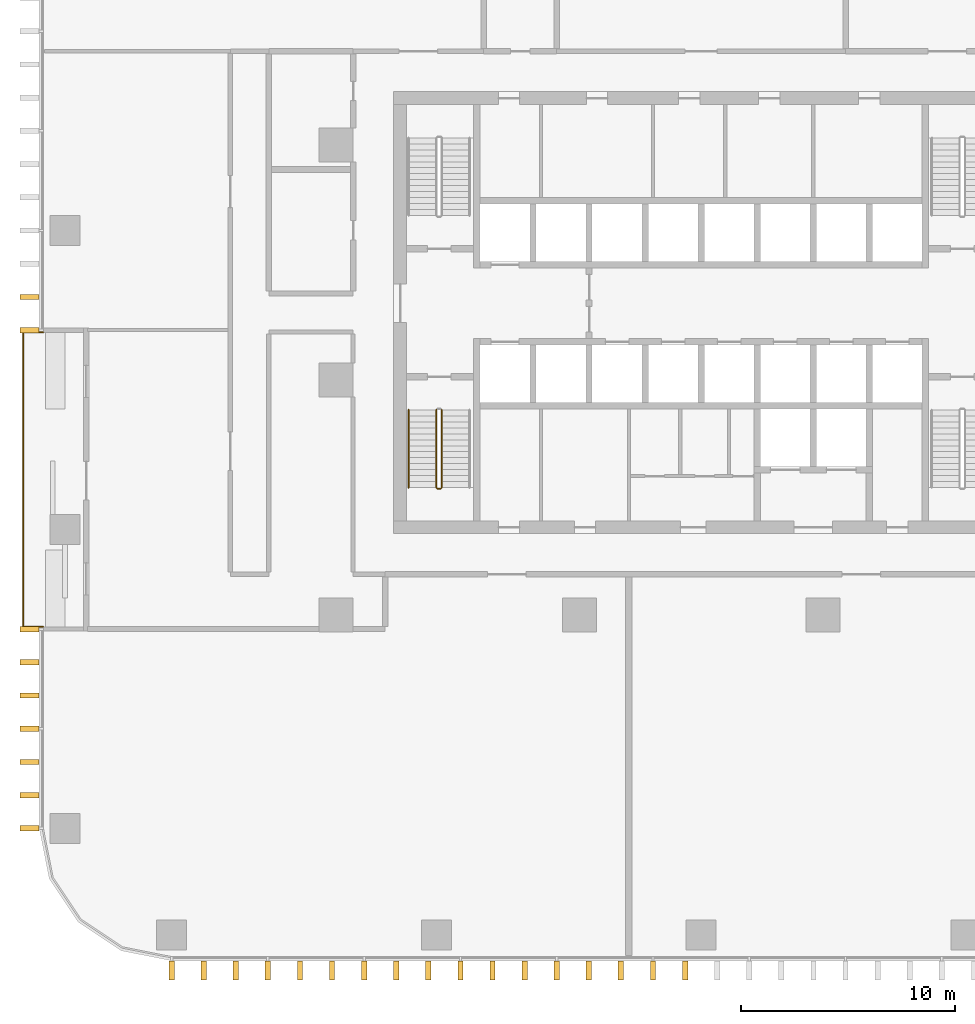
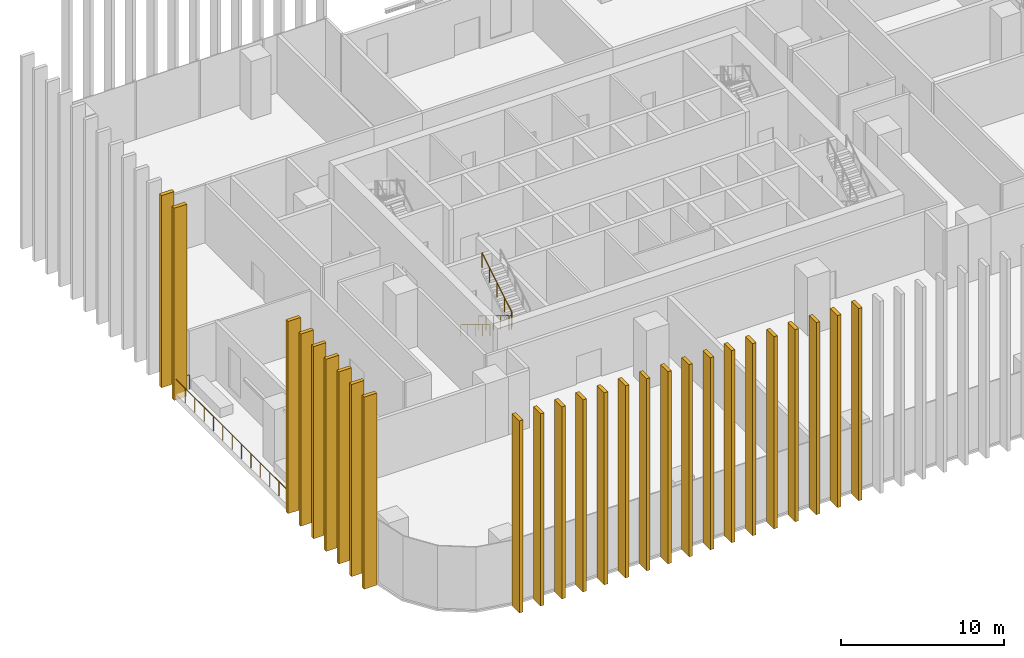
# One storey, part 12 of 17: 26 shading devices, 4 railings.
"""IFC4 building model written with IfcOpenShell, lengths in metres."""

import ifcopenshell
import ifcopenshell.guid

model = None  # the IFC model being written
_history = None  # IfcOwnerHistory: only IFC2X3 demands one
_inside = {}  # id of a spatial element -> (the spatial element, [elements in it])
_under = {}  # id of a project, library or spatial element -> (it, [spatial elements below it])
_declared = {}  # id of a project -> (the project, [libraries it declares])
_typed = {}  # id of a type object -> (the type object, [elements of that type])
_made_of = {}  # id of a material, layer set ... -> (it, [elements and type objects made of it])


def new_model(schema):
    """Start an empty IFC model of exactly this schema.

    Asked for "IFC4X3", IfcOpenShell would pick the latest addendum, in which some entities
    have other attributes; the version numbers below select the first issue.
    IFC2X3 requires an IfcOwnerHistory on every rooted entity: one is made here for all.
    """
    global model, _history
    if schema == "IFC4X3":
        model = ifcopenshell.file(schema_version=(4, 3, 0, 0))
    else:
        model = ifcopenshell.file(schema=schema)
    _inside.clear()
    _under.clear()
    _declared.clear()
    _typed.clear()
    _made_of.clear()
    _history = None
    if model.schema == "IFC2X3":
        org = make("IfcOrganization", Name="unknown")
        user = make(
            "IfcPersonAndOrganization",
            ThePerson=make("IfcPerson", FamilyName="unknown"),
            TheOrganization=org,
        )
        app = make(
            "IfcApplication",
            ApplicationDeveloper=org,
            Version="unknown",
            ApplicationFullName="unknown",
            ApplicationIdentifier="unknown",
        )
        _history = make(
            "IfcOwnerHistory",
            OwningUser=user,
            OwningApplication=app,
            ChangeAction="ADDED",
            CreationDate=0,
        )
    return model


def make(cls, **values):
    """One entity of the class cls with the attributes given. An attribute that is None is left unset."""
    return model.create_entity(
        cls, **{name: value for name, value in values.items() if value is not None}
    )


def rooted(cls, **values):
    """An entity with a GlobalId (a new one), such as an element, a storey or a relation."""
    return make(cls, GlobalId=ifcopenshell.guid.new(), OwnerHistory=_history, **values)


def si_unit(unit_type, name, prefix=None):
    """IfcSIUnit, for example si_unit("LENGTHUNIT", "METRE", prefix="MILLI")."""
    return make("IfcSIUnit", UnitType=unit_type, Prefix=prefix, Name=name)


def assignment(units):
    """IfcUnitAssignment: the units of a project."""
    return None if units is None else make("IfcUnitAssignment", Units=units)


def point(xyz):
    """IfcCartesianPoint."""
    return None if xyz is None else make("IfcCartesianPoint", Coordinates=xyz)


def direction(xyz):
    """IfcDirection."""
    return None if xyz is None else make("IfcDirection", DirectionRatios=xyz)


def frame(location, z_axis=None, x_axis=None):
    """IfcAxis2Placement3D, a coordinate frame: its origin and axes. An axis left out is left unset."""
    return make(
        "IfcAxis2Placement3D",
        Location=point(location),
        Axis=direction(z_axis),
        RefDirection=direction(x_axis),
    )


def frame_2d(location, x_axis=None):
    """IfcAxis2Placement2D, a coordinate frame in the plane: its origin and x axis."""
    return make(
        "IfcAxis2Placement2D", Location=point(location), RefDirection=direction(x_axis)
    )


def origin():
    """The frame at (0, 0, 0) with its axes left unset."""
    return frame((0.0, 0.0, 0.0))


def origin_2d():
    """The frame at (0, 0) in the plane with its x axis left unset."""
    return frame_2d((0.0, 0.0))


def place(relative_to, where):
    """IfcLocalPlacement: puts the frame where relative to a parent placement (None: the world)."""
    return make(
        "IfcLocalPlacement", PlacementRelTo=relative_to, RelativePlacement=where
    )


def context(
    kind, dimensions, precision=None, world=None, true_north=None, identifier=None
):
    """IfcGeometricRepresentationContext, for example the 3D "Model" context."""
    return make(
        "IfcGeometricRepresentationContext",
        ContextIdentifier=identifier,
        ContextType=kind,
        CoordinateSpaceDimension=dimensions,
        Precision=precision,
        WorldCoordinateSystem=world,
        TrueNorth=true_north,
    )


def subcontext(parent, identifier, kind, view, scale=None):
    """IfcGeometricRepresentationSubContext, for example "Body" below "Model"."""
    return make(
        "IfcGeometricRepresentationSubContext",
        ContextIdentifier=identifier,
        ContextType=kind,
        ParentContext=parent,
        TargetScale=scale,
        TargetView=view,
    )


def project(units=None, contexts=None):
    """IfcProject with its units and contexts."""
    return rooted(
        "IfcProject",
        Name="project",
        RepresentationContexts=contexts,
        UnitsInContext=assignment(units),
    )


def spatial(cls, under=None, at=None, **own):
    """A site, building, storey or space (cls), placed at a placement, below another one or the project."""
    s = rooted(cls, ObjectPlacement=at, **own)
    if under is not None:
        _under.setdefault(under.id(), (under, []))[1].append(s)
    return s


def profile(cls, at=None, kind="AREA", **sizes):
    """A parametric profile (cls). Its sizes go by their IFC names, for example OverallWidth=200.0."""
    return make(cls, ProfileType=kind, Position=at, **sizes)


def rectangle(**sizes):
    """IfcRectangleProfileDef."""
    return profile("IfcRectangleProfileDef", **sizes)


def circle(**sizes):
    """IfcCircleProfileDef."""
    return profile("IfcCircleProfileDef", **sizes)


def extrude(swept, where, along, depth):
    """IfcExtrudedAreaSolid: the profile swept, set in the frame where, extruded along a direction by depth."""
    return make(
        "IfcExtrudedAreaSolid",
        SweptArea=swept,
        Position=where,
        ExtrudedDirection=direction(along),
        Depth=depth,
    )


def shape(context_of_items, identifier, shape_type, items):
    """IfcShapeRepresentation: the items that make up one representation, for example the "Body"."""
    return make(
        "IfcShapeRepresentation",
        ContextOfItems=context_of_items,
        RepresentationIdentifier=identifier,
        RepresentationType=shape_type,
        Items=items,
    )


def material(Name=None, Category=None):
    """IfcMaterial."""
    return make("IfcMaterial", Name=Name, Category=Category)


def made_of(thing, what):
    """Note that an element or type object is made of a material, layer set ...; save() writes the relation."""
    if what is not None:
        _made_of.setdefault(what.id(), (what, []))[1].append(thing)
    return thing


def type_object(cls, material=None, **own):
    """A type object (cls), such as IfcWallType, which elements share."""
    return made_of(rooted(cls, **own), material)


def element(
    cls,
    number,
    at=None,
    inside=None,
    cuts=None,
    type_object=None,
    material=None,
    context=None,
    identifier="Body",
    shape_type=None,
    held_by="IfcProductDefinitionShape",
    body=None,
    shapes=None,
    **own,
):
    """One element of the class cls, such as IfcWall. Its Tag is "e" and its number.

    at: its placement. inside: the storey or other place that contains it. cuts: it is an
    opening in that element (IfcRelVoidsElement). A single representation is given by context,
    identifier, shape_type and body (its items); several are given by shapes. held_by: the class
    of the entity that holds the representations. save() writes the other relations.
    """
    e = rooted(cls, Tag="e%d" % number, ObjectPlacement=at, **own)
    if body is not None:
        shapes = [shape(context, identifier, shape_type, body)]
    if shapes is not None:
        e.Representation = make(held_by, Representations=shapes)
    if inside is not None:
        _inside.setdefault(inside.id(), (inside, []))[1].append(e)
    if cuts is not None:
        rooted(
            "IfcRelVoidsElement", RelatingBuildingElement=cuts, RelatedOpeningElement=e
        )
    if type_object is not None:
        _typed.setdefault(type_object.id(), (type_object, []))[1].append(e)
    return made_of(e, material)


def aggregate(whole, parts):
    """IfcRelAggregates: a whole, such as a stair, and the parts it consists of."""
    return rooted("IfcRelAggregates", RelatingObject=whole, RelatedObjects=parts)


def save(model, path):
    """Write the relations noted so far, then the file.

    IfcRelAggregates (storeys below a building ...), IfcRelContainedInSpatialStructure (elements
    in a storey), IfcRelDefinesByType, IfcRelAssociatesMaterial and IfcRelDeclares: one each for
    every whole, place, type object, material and project.
    """
    for whole, parts in _under.values():
        aggregate(whole, parts)
    for where, things in _inside.values():
        rooted(
            "IfcRelContainedInSpatialStructure",
            RelatedElements=things,
            RelatingStructure=where,
        )
    for kind, things in _typed.values():
        rooted("IfcRelDefinesByType", RelatedObjects=things, RelatingType=kind)
    for what, things in _made_of.values():
        rooted("IfcRelAssociatesMaterial", RelatedObjects=things, RelatingMaterial=what)
    for by, libraries in _declared.values():
        rooted("IfcRelDeclares", RelatingContext=by, RelatedDefinitions=libraries)
    model.write(path)


model = new_model("IFC4")

# Units and contexts
model_context = context("Model", 3, precision=1e-05, world=origin(), true_north=direction((0.0, 1.0)))
body_context = subcontext(model_context, "Body", "Model", "MODEL_VIEW")
ifc_project = project(units=[si_unit("LENGTHUNIT", "METRE"), si_unit("AREAUNIT", "SQUARE_METRE"), si_unit("VOLUMEUNIT", "CUBIC_METRE"), si_unit("PLANEANGLEUNIT", "RADIAN"), si_unit("MASSUNIT", "GRAM", prefix="KILO")], contexts=[model_context])

# Site, building, storey
site_placement = place(None, origin())
site = spatial("IfcSite", under=ifc_project, at=site_placement, CompositionType="ELEMENT")
building_placement = place(site_placement, origin())
building = spatial("IfcBuilding", under=site, at=building_placement, Name="Mopane Tessera Tower", CompositionType="ELEMENT")
storey_placement = place(building_placement, frame((0.0, 0.0, 45.39990234375)))
storey = spatial("IfcBuildingStorey", under=building, at=storey_placement, Name="L08", CompositionType="ELEMENT", Elevation=45.39990234375)

# Shading devices
ifc_material_1 = material(Name="Glazed ceramic tile")
shading_device_type = type_object("IfcShadingDeviceType", Name="Ceramic tile fin 900 x 250 mm", PredefinedType="USERDEFINED", material=ifc_material_1)
for number, where, z_axis, x_axis, name in (
    (1, (-24.800048828125, -27.64990234375, -0.449951171875), (0.0, 0.0, 1.0), (1.0, 0.0, 0.0), "e:fin:L08:S:0:0"),
    (2, (-23.296875, -27.64990234375, -0.449951171875), (0.0, 0.0, 1.0), (1.0, 0.0, 0.0), "e:fin:L08:S:0:1"),
    (3, (-21.7939453125, -27.64990234375, -0.449951171875), (0.0, 0.0, 1.0), (1.0, 0.0, 0.0), "e:fin:L08:S:0:2"),
    (4, (-20.291015625, -27.64990234375, -0.449951171875), (0.0, 0.0, 1.0), (1.0, 0.0, 0.0), "e:fin:L08:S:1:0"),
    (5, (-18.787841796875, -27.64990234375, -0.449951171875), (0.0, 0.0, 1.0), (1.0, 0.0, 0.0), "e:fin:L08:S:1:1"),
    (6, (-17.284912109375, -27.64990234375, -0.449951171875), (0.0, 0.0, 1.0), (1.0, 0.0, 0.0), "e:fin:L08:S:1:2"),
    (7, (-15.78173828125, -27.64990234375, -0.449951171875), (0.0, 0.0, 1.0), (1.0, 0.0, 0.0), "e:fin:L08:S:2:0"),
    (8, (-14.27880859375, -27.64990234375, -0.449951171875), (0.0, 0.0, 1.0), (1.0, 0.0, 0.0), "e:fin:L08:S:2:1"),
    (9, (-12.77587890625, -27.64990234375, -0.449951171875), (0.0, 0.0, 1.0), (1.0, 0.0, 0.0), "e:fin:L08:S:2:2"),
    (10, (-11.272705078125, -27.64990234375, -0.449951171875), (0.0, 0.0, 1.0), (1.0, 0.0, 0.0), "e:fin:L08:S:3:0"),
    (11, (-9.769775390625, -27.64990234375, -0.449951171875), (0.0, 0.0, 1.0), (1.0, 0.0, 0.0), "e:fin:L08:S:3:1"),
    (12, (-8.2666015625, -27.64990234375, -0.449951171875), (0.0, 0.0, 1.0), (1.0, 0.0, 0.0), "e:fin:L08:S:3:2"),
    (13, (-6.763671875, -27.64990234375, -0.449951171875), (0.0, 0.0, 1.0), (1.0, 0.0, 0.0), "e:fin:L08:S:4:0"),
    (14, (-5.260498046875, -27.64990234375, -0.449951171875), (0.0, 0.0, 1.0), (1.0, 0.0, 0.0), "e:fin:L08:S:4:1"),
    (15, (-3.757568359375, -27.64990234375, -0.449951171875), (0.0, 0.0, 1.0), (1.0, 0.0, 0.0), "e:fin:L08:S:4:2"),
    (16, (-2.254638671875, -27.64990234375, -0.449951171875), (0.0, 0.0, 1.0), (1.0, 0.0, 0.0), "e:fin:L08:S:5:0"),
    (17, (-0.75146484375, -27.64990234375, -0.449951171875), (0.0, 0.0, 1.0), (1.0, 0.0, 0.0), "e:fin:L08:S:5:1"),
    (18, (-31.449951171875, 3.888916015625, -0.449951171875), (0.0, 0.0, 1.0), (0.0, -1.0, 0.0), "e:fin:L08:W:3:2"),
    (19, (-31.449951171875, 2.333251953125, -0.449951171875), (0.0, 0.0, 1.0), (0.0, -1.0, 0.0), "e:fin:L08:W:3:3"),
    (20, (-31.449951171875, -11.666748046875, -0.449951171875), (0.0, 0.0, 1.0), (0.0, -1.0, 0.0), "e:fin:L08:W:7:0"),
    (21, (-31.449951171875, -13.22216796875, -0.449951171875), (0.0, 0.0, 1.0), (0.0, -1.0, 0.0), "e:fin:L08:W:7:1"),
    (22, (-31.449951171875, -14.77783203125, -0.449951171875), (0.0, 0.0, 1.0), (0.0, -1.0, 0.0), "e:fin:L08:W:7:2"),
    (23, (-31.449951171875, -16.333251953125, -0.449951171875), (0.0, 0.0, 1.0), (0.0, -1.0, 0.0), "e:fin:L08:W:8:0"),
    (24, (-31.449951171875, -17.888916015625, -0.449951171875), (0.0, 0.0, 1.0), (0.0, -1.0, 0.0), "e:fin:L08:W:8:1"),
    (25, (-31.449951171875, -19.4443359375, -0.449951171875), (0.0, 0.0, 1.0), (0.0, -1.0, 0.0), "e:fin:L08:W:8:2"),
    (26, (-31.449951171875, -21.0, -0.449951171875), (0.0, 0.0, 1.0), (0.0, -1.0, 0.0), "e:fin:L08:W:8:3"),
):
    element("IfcShadingDevice", number, at=place(storey_placement, frame(where, z_axis=z_axis, x_axis=x_axis)), inside=storey, type_object=shading_device_type, Name=name, ObjectType="FIN", PredefinedType="USERDEFINED", context=body_context, shape_type="SweptSolid", body=[
        extrude(rectangle(XDim=0.25, YDim=0.89990234375, at=origin_2d()), origin(), (0.0, 0.0, 1.0), 14.39990234375),
    ])

# Railings
ifc_material_2 = material(Name="Powder-coated steel balustrade", Category="steel")
railing_type_1 = type_object("IfcRailingType", Name="Escape stair guard 1100 mm", PredefinedType="GUARDRAIL", material=ifc_material_2)
railing_1_placement = place(storey_placement, frame((-12.39990234375, -1.39990234375, 0.171630859375)))
element("IfcRailing", 27, at=railing_1_placement, inside=storey, type_object=railing_type_1, Name="L08 ST1 stair guard 1", PredefinedType="GUARDRAIL", context=body_context, shape_type="SweptSolid", body=[
    extrude(circle(Radius=0.02392578125, at=origin_2d()), frame((0.0, 0.0, 1.076171875), z_axis=(0.0, -0.852865859571, 0.52213008492), x_axis=(1.0, 0.0, 0.0)), (0.0, 0.0, 1.0), 4.26806640625),
    extrude(circle(Radius=0.02392578125, at=origin_2d()), frame((0.0, -3.64013671875, 3.3046875), z_axis=(0.705375805398, -0.708833529934, 0.0), x_axis=(0.708833529934, 0.705375805398, 0.0)), (0.0, 0.0, 1.0), 0.070556640625),
    extrude(circle(Radius=0.02392578125, at=origin_2d()), frame((0.0498046875, -3.690185546875, 3.3046875), z_axis=(1.0, 0.0, 0.0), x_axis=(0.0, 1.0, 0.0)), (0.0, 0.0, 1.0), 0.150146484375),
    extrude(circle(Radius=0.02099609375, at=origin_2d()), origin(), (0.0, 0.0, 1.0), 1.052001953125),
    extrude(circle(Radius=0.02099609375, at=origin_2d()), frame((0.0, -0.91015625, 0.55712890625)), (0.0, 0.0, 1.0), 1.052001953125),
    extrude(circle(Radius=0.02099609375, at=origin_2d()), frame((0.0, -1.820068359375, 1.1142578125)), (0.0, 0.0, 1.0), 1.052001953125),
    extrude(circle(Radius=0.02099609375, at=origin_2d()), frame((0.0, -2.72998046875, 1.67138671875)), (0.0, 0.0, 1.0), 1.052001953125),
    extrude(circle(Radius=0.02099609375, at=origin_2d()), frame((0.0, -3.64013671875, 2.228515625)), (0.0, 0.0, 1.0), 1.052001953125),
    extrude(circle(Radius=0.02099609375, at=origin_2d()), frame((0.0498046875, -3.690185546875, 2.228515625)), (0.0, 0.0, 1.0), 1.052001953125),
    extrude(circle(Radius=0.02099609375, at=origin_2d()), frame((0.199951171875, -3.690185546875, 2.228515625)), (0.0, 0.0, 1.0), 1.052001953125),
])
railing_2_placement = place(storey_placement, frame((-12.14990234375, -5.0400390625, 2.571533203125)))
element("IfcRailing", 28, at=railing_2_placement, inside=storey, type_object=railing_type_1, Name="L08 ST1 stair guard 2", PredefinedType="GUARDRAIL", context=body_context, shape_type="SweptSolid", body=[
    extrude(circle(Radius=0.02392578125, at=origin_2d()), frame((0.0, 0.0, 1.076171875), z_axis=(0.0, 0.852865859571, 0.52213008492), x_axis=(-1.0, 0.0, 0.0)), (0.0, 0.0, 1.0), 4.26806640625),
    extrude(circle(Radius=0.02099609375, at=origin_2d()), origin(), (0.0, 0.0, 1.0), 1.052001953125),
    extrude(circle(Radius=0.02099609375, at=origin_2d()), frame((0.0, 0.91015625, 0.55712890625)), (0.0, 0.0, 1.0), 1.052001953125),
    extrude(circle(Radius=0.02099609375, at=origin_2d()), frame((0.0, 1.820068359375, 1.1142578125)), (0.0, 0.0, 1.0), 1.052001953125),
    extrude(circle(Radius=0.02099609375, at=origin_2d()), frame((0.0, 2.72998046875, 1.67138671875)), (0.0, 0.0, 1.0), 1.052001953125),
    extrude(circle(Radius=0.02099609375, at=origin_2d()), frame((0.0, 3.64013671875, 2.228515625)), (0.0, 0.0, 1.0), 1.052001953125),
])
ifc_material_3 = material(Name="Powder-coated steel balustrade", Category="steel")
railing_type_2 = type_object("IfcRailingType", Name="Escape stair handrail 900 mm", PredefinedType="HANDRAIL", material=ifc_material_3)
railing_3_placement = place(storey_placement, frame((-13.699951171875, -1.39990234375, 0.171630859375)))
element("IfcRailing", 29, at=railing_3_placement, inside=storey, type_object=railing_type_2, Name="L08 ST1 stair handrail 1", PredefinedType="HANDRAIL", context=body_context, shape_type="SweptSolid", body=[
    extrude(circle(Radius=0.02392578125, at=origin_2d()), frame((0.0, 0.0, 0.8759765625), z_axis=(0.0, -0.852865859571, 0.52213008492), x_axis=(1.0, 0.0, 0.0)), (0.0, 0.0, 1.0), 4.26806640625),
    extrude(circle(Radius=0.02099609375, at=origin_2d()), origin(), (0.0, 0.0, 1.0), 0.851806640625),
    extrude(circle(Radius=0.02099609375, at=origin_2d()), frame((0.0, -0.91015625, 0.55712890625)), (0.0, 0.0, 1.0), 0.851806640625),
    extrude(circle(Radius=0.02099609375, at=origin_2d()), frame((0.0, -1.820068359375, 1.1142578125)), (0.0, 0.0, 1.0), 0.851806640625),
    extrude(circle(Radius=0.02099609375, at=origin_2d()), frame((0.0, -2.72998046875, 1.67138671875)), (0.0, 0.0, 1.0), 0.851806640625),
    extrude(circle(Radius=0.02099609375, at=origin_2d()), frame((0.0, -3.64013671875, 2.228515625)), (0.0, 0.0, 1.0), 0.851806640625),
])
ifc_material_4 = material(Name="Stainless steel S316", Category="steel")
railing_type_3 = type_object("IfcRailingType", Name="Terrace guard 1100", PredefinedType="GUARDRAIL", material=ifc_material_4)
railing_4_placement = place(storey_placement, frame((-30.800048828125, 2.2333984375, 0.0)))
element("IfcRailing", 30, at=railing_4_placement, inside=storey, type_object=railing_type_3, Name="e:nw:L08:N3:guard", PredefinedType="GUARDRAIL", context=body_context, shape_type="SweptSolid", body=[
    extrude(circle(Radius=0.02392578125, at=origin_2d()), frame((0.0, 0.0, 1.076171875), z_axis=(-1.0, 0.0, 0.0), x_axis=(0.0, -1.0, 0.0)), (0.0, 0.0, 1.0), 0.949951171875),
    extrude(circle(Radius=0.02392578125, at=origin_2d()), frame((-0.949951171875, 0.0, 1.076171875), z_axis=(0.0, -1.0, 0.0), x_axis=(1.0, 0.0, 0.0)), (0.0, 0.0, 1.0), 13.800048828125),
    extrude(circle(Radius=0.02392578125, at=origin_2d()), frame((-0.949951171875, -13.800048828125, 1.076171875), z_axis=(1.0, 0.0, 0.0), x_axis=(0.0, 1.0, 0.0)), (0.0, 0.0, 1.0), 0.949951171875),
    extrude(circle(Radius=0.02099609375, at=origin_2d()), origin(), (0.0, 0.0, 1.0), 1.052001953125),
    extrude(circle(Radius=0.02099609375, at=origin_2d()), frame((-0.949951171875, 0.0, 0.0)), (0.0, 0.0, 1.0), 1.052001953125),
    extrude(circle(Radius=0.02099609375, at=origin_2d()), frame((-0.949951171875, -1.14990234375, 0.0)), (0.0, 0.0, 1.0), 1.052001953125),
    extrude(circle(Radius=0.02099609375, at=origin_2d()), frame((-0.949951171875, -2.300048828125, 0.0)), (0.0, 0.0, 1.0), 1.052001953125),
    extrude(circle(Radius=0.02099609375, at=origin_2d()), frame((-0.949951171875, -3.449951171875, 0.0)), (0.0, 0.0, 1.0), 1.052001953125),
    extrude(circle(Radius=0.02099609375, at=origin_2d()), frame((-0.949951171875, -4.60009765625, 0.0)), (0.0, 0.0, 1.0), 1.052001953125),
    extrude(circle(Radius=0.02099609375, at=origin_2d()), frame((-0.949951171875, -5.75, 0.0)), (0.0, 0.0, 1.0), 1.052001953125),
    extrude(circle(Radius=0.02099609375, at=origin_2d()), frame((-0.949951171875, -6.89990234375, 0.0)), (0.0, 0.0, 1.0), 1.052001953125),
    extrude(circle(Radius=0.02099609375, at=origin_2d()), frame((-0.949951171875, -8.050048828125, 0.0)), (0.0, 0.0, 1.0), 1.052001953125),
    extrude(circle(Radius=0.02099609375, at=origin_2d()), frame((-0.949951171875, -9.199951171875, 0.0)), (0.0, 0.0, 1.0), 1.052001953125),
    extrude(circle(Radius=0.02099609375, at=origin_2d()), frame((-0.949951171875, -10.35009765625, 0.0)), (0.0, 0.0, 1.0), 1.052001953125),
    extrude(circle(Radius=0.02099609375, at=origin_2d()), frame((-0.949951171875, -11.5, 0.0)), (0.0, 0.0, 1.0), 1.052001953125),
    extrude(circle(Radius=0.02099609375, at=origin_2d()), frame((-0.949951171875, -12.650146484375, 0.0)), (0.0, 0.0, 1.0), 1.052001953125),
    extrude(circle(Radius=0.02099609375, at=origin_2d()), frame((-0.949951171875, -13.800048828125, 0.0)), (0.0, 0.0, 1.0), 1.052001953125),
    extrude(circle(Radius=0.02099609375, at=origin_2d()), frame((0.0, -13.800048828125, 0.0)), (0.0, 0.0, 1.0), 1.052001953125),
])

save(model, "model.ifc")
